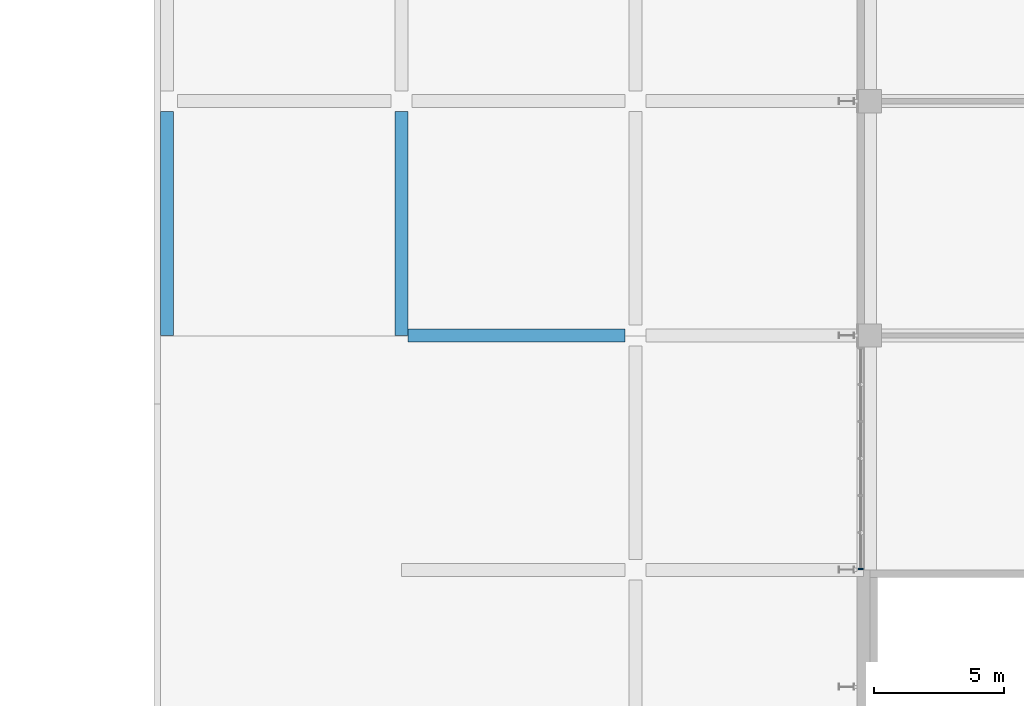
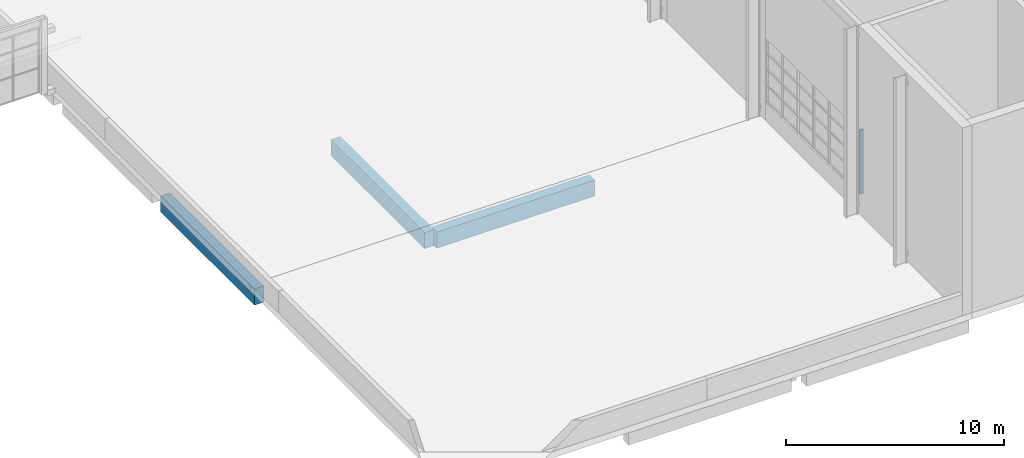
# One storey, part 13 of 182: 3 beams, 1 member, 1 element without a shape of its own.
"""IFC4 building model written with IfcOpenShell, lengths in metres."""

import ifcopenshell
import ifcopenshell.guid

model = None  # the IFC model being written
_history = None  # IfcOwnerHistory: only IFC2X3 demands one
_inside = {}  # id of a spatial element -> (the spatial element, [elements in it])
_under = {}  # id of a project, library or spatial element -> (it, [spatial elements below it])
_declared = {}  # id of a project -> (the project, [libraries it declares])
_typed = {}  # id of a type object -> (the type object, [elements of that type])
_made_of = {}  # id of a material, layer set ... -> (it, [elements and type objects made of it])


def new_model(schema):
    """Start an empty IFC model of exactly this schema.

    Asked for "IFC4X3", IfcOpenShell would pick the latest addendum, in which some entities
    have other attributes; the version numbers below select the first issue.
    IFC2X3 requires an IfcOwnerHistory on every rooted entity: one is made here for all.
    """
    global model, _history
    if schema == "IFC4X3":
        model = ifcopenshell.file(schema_version=(4, 3, 0, 0))
    else:
        model = ifcopenshell.file(schema=schema)
    _inside.clear()
    _under.clear()
    _declared.clear()
    _typed.clear()
    _made_of.clear()
    _history = None
    if model.schema == "IFC2X3":
        org = make("IfcOrganization", Name="unknown")
        user = make(
            "IfcPersonAndOrganization",
            ThePerson=make("IfcPerson", FamilyName="unknown"),
            TheOrganization=org,
        )
        app = make(
            "IfcApplication",
            ApplicationDeveloper=org,
            Version="unknown",
            ApplicationFullName="unknown",
            ApplicationIdentifier="unknown",
        )
        _history = make(
            "IfcOwnerHistory",
            OwningUser=user,
            OwningApplication=app,
            ChangeAction="ADDED",
            CreationDate=0,
        )
    return model


def make(cls, **values):
    """One entity of the class cls with the attributes given. An attribute that is None is left unset."""
    return model.create_entity(
        cls, **{name: value for name, value in values.items() if value is not None}
    )


def rooted(cls, **values):
    """An entity with a GlobalId (a new one), such as an element, a storey or a relation."""
    return make(cls, GlobalId=ifcopenshell.guid.new(), OwnerHistory=_history, **values)


def si_unit(unit_type, name, prefix=None):
    """IfcSIUnit, for example si_unit("LENGTHUNIT", "METRE", prefix="MILLI")."""
    return make("IfcSIUnit", UnitType=unit_type, Prefix=prefix, Name=name)


def assignment(units):
    """IfcUnitAssignment: the units of a project."""
    return None if units is None else make("IfcUnitAssignment", Units=units)


def point(xyz):
    """IfcCartesianPoint."""
    return None if xyz is None else make("IfcCartesianPoint", Coordinates=xyz)


def direction(xyz):
    """IfcDirection."""
    return None if xyz is None else make("IfcDirection", DirectionRatios=xyz)


def frame(location, z_axis=None, x_axis=None):
    """IfcAxis2Placement3D, a coordinate frame: its origin and axes. An axis left out is left unset."""
    return make(
        "IfcAxis2Placement3D",
        Location=point(location),
        Axis=direction(z_axis),
        RefDirection=direction(x_axis),
    )


def frame_2d(location, x_axis=None):
    """IfcAxis2Placement2D, a coordinate frame in the plane: its origin and x axis."""
    return make(
        "IfcAxis2Placement2D", Location=point(location), RefDirection=direction(x_axis)
    )


def origin():
    """The frame at (0, 0, 0) with its axes left unset."""
    return frame((0.0, 0.0, 0.0))


def origin_2d():
    """The frame at (0, 0) in the plane with its x axis left unset."""
    return frame_2d((0.0, 0.0))


def place(relative_to, where):
    """IfcLocalPlacement: puts the frame where relative to a parent placement (None: the world)."""
    return make(
        "IfcLocalPlacement", PlacementRelTo=relative_to, RelativePlacement=where
    )


def context(
    kind, dimensions, precision=None, world=None, true_north=None, identifier=None
):
    """IfcGeometricRepresentationContext, for example the 3D "Model" context."""
    return make(
        "IfcGeometricRepresentationContext",
        ContextIdentifier=identifier,
        ContextType=kind,
        CoordinateSpaceDimension=dimensions,
        Precision=precision,
        WorldCoordinateSystem=world,
        TrueNorth=true_north,
    )


def subcontext(parent, identifier, kind, view, scale=None):
    """IfcGeometricRepresentationSubContext, for example "Body" below "Model"."""
    return make(
        "IfcGeometricRepresentationSubContext",
        ContextIdentifier=identifier,
        ContextType=kind,
        ParentContext=parent,
        TargetScale=scale,
        TargetView=view,
    )


def project(units=None, contexts=None):
    """IfcProject with its units and contexts."""
    return rooted(
        "IfcProject",
        Name="project",
        RepresentationContexts=contexts,
        UnitsInContext=assignment(units),
    )


def spatial(cls, under=None, at=None, **own):
    """A site, building, storey or space (cls), placed at a placement, below another one or the project."""
    s = rooted(cls, ObjectPlacement=at, **own)
    if under is not None:
        _under.setdefault(under.id(), (under, []))[1].append(s)
    return s


def profile(cls, at=None, kind="AREA", **sizes):
    """A parametric profile (cls). Its sizes go by their IFC names, for example OverallWidth=200.0."""
    return make(cls, ProfileType=kind, Position=at, **sizes)


def rectangle(**sizes):
    """IfcRectangleProfileDef."""
    return profile("IfcRectangleProfileDef", **sizes)


def extrude(swept, where, along, depth):
    """IfcExtrudedAreaSolid: the profile swept, set in the frame where, extruded along a direction by depth."""
    return make(
        "IfcExtrudedAreaSolid",
        SweptArea=swept,
        Position=where,
        ExtrudedDirection=direction(along),
        Depth=depth,
    )


def shape(context_of_items, identifier, shape_type, items):
    """IfcShapeRepresentation: the items that make up one representation, for example the "Body"."""
    return make(
        "IfcShapeRepresentation",
        ContextOfItems=context_of_items,
        RepresentationIdentifier=identifier,
        RepresentationType=shape_type,
        Items=items,
    )


def material(Name=None, Category=None):
    """IfcMaterial."""
    return make("IfcMaterial", Name=Name, Category=Category)


def material_profile(
    of_material, cross_section, Name=None, Category=None, Priority=None
):
    """IfcMaterialProfile: a cross section and its material."""
    return make(
        "IfcMaterialProfile",
        Name=Name,
        Material=of_material,
        Profile=cross_section,
        Priority=Priority,
        Category=Category,
    )


def profile_set(profiles, Name=None, composite=None):
    """IfcMaterialProfileSet."""
    return make(
        "IfcMaterialProfileSet",
        Name=Name,
        MaterialProfiles=profiles,
        CompositeProfile=composite,
    )


def made_of(thing, what):
    """Note that an element or type object is made of a material, layer set ...; save() writes the relation."""
    if what is not None:
        _made_of.setdefault(what.id(), (what, []))[1].append(thing)
    return thing


def type_object(cls, material=None, **own):
    """A type object (cls), such as IfcWallType, which elements share."""
    return made_of(rooted(cls, **own), material)


def element(
    cls,
    number,
    at=None,
    inside=None,
    cuts=None,
    type_object=None,
    material=None,
    context=None,
    identifier="Body",
    shape_type=None,
    held_by="IfcProductDefinitionShape",
    body=None,
    shapes=None,
    **own,
):
    """One element of the class cls, such as IfcWall. Its Tag is "e" and its number.

    at: its placement. inside: the storey or other place that contains it. cuts: it is an
    opening in that element (IfcRelVoidsElement). A single representation is given by context,
    identifier, shape_type and body (its items); several are given by shapes. held_by: the class
    of the entity that holds the representations. save() writes the other relations.
    """
    e = rooted(cls, Tag="e%d" % number, ObjectPlacement=at, **own)
    if body is not None:
        shapes = [shape(context, identifier, shape_type, body)]
    if shapes is not None:
        e.Representation = make(held_by, Representations=shapes)
    if inside is not None:
        _inside.setdefault(inside.id(), (inside, []))[1].append(e)
    if cuts is not None:
        rooted(
            "IfcRelVoidsElement", RelatingBuildingElement=cuts, RelatedOpeningElement=e
        )
    if type_object is not None:
        _typed.setdefault(type_object.id(), (type_object, []))[1].append(e)
    return made_of(e, material)


def aggregate(whole, parts):
    """IfcRelAggregates: a whole, such as a stair, and the parts it consists of."""
    return rooted("IfcRelAggregates", RelatingObject=whole, RelatedObjects=parts)


def save(model, path):
    """Write the relations noted so far, then the file.

    IfcRelAggregates (storeys below a building ...), IfcRelContainedInSpatialStructure (elements
    in a storey), IfcRelDefinesByType, IfcRelAssociatesMaterial and IfcRelDeclares: one each for
    every whole, place, type object, material and project.
    """
    for whole, parts in _under.values():
        aggregate(whole, parts)
    for where, things in _inside.values():
        rooted(
            "IfcRelContainedInSpatialStructure",
            RelatedElements=things,
            RelatingStructure=where,
        )
    for kind, things in _typed.values():
        rooted("IfcRelDefinesByType", RelatedObjects=things, RelatingType=kind)
    for what, things in _made_of.values():
        rooted("IfcRelAssociatesMaterial", RelatedObjects=things, RelatingMaterial=what)
    for by, libraries in _declared.values():
        rooted("IfcRelDeclares", RelatingContext=by, RelatedDefinitions=libraries)
    model.write(path)


model = new_model("IFC4")

# Units and contexts
model_context = context("Model", 3, precision=1e-05, world=origin(), true_north=direction((0.0, 1.0)))
body_context = subcontext(model_context, "Body", "Model", "MODEL_VIEW")
ifc_project = project(units=[si_unit("LENGTHUNIT", "METRE"), si_unit("AREAUNIT", "SQUARE_METRE"), si_unit("VOLUMEUNIT", "CUBIC_METRE"), si_unit("PLANEANGLEUNIT", "RADIAN"), si_unit("MASSUNIT", "GRAM", prefix="KILO")], contexts=[model_context])

# Site, building, storey
site_placement = place(None, origin())
site = spatial("IfcSite", under=ifc_project, at=site_placement, CompositionType="ELEMENT")
building_placement = place(site_placement, origin())
building = spatial("IfcBuilding", under=site, at=building_placement, Name="Silverbay Arena", CompositionType="ELEMENT")
storey_placement = place(building_placement, frame((0.0, 0.0, 11.5)))
storey = spatial("IfcBuildingStorey", under=building, at=storey_placement, Name="L02", CompositionType="ELEMENT", Elevation=11.5)

# Curtain wall, member
ifc_material_1 = material(Name="Aluminium framed curtain wall", Category="aluminium")
curtain_wall_type = type_object("IfcCurtainWallType", Name="Curtain wall 8550 x 3600", PredefinedType="NOTDEFINED", material=ifc_material_1)
curtain_wall_placement = place(storey_placement, origin())
curtain_wall = element("IfcCurtainWall", 1, at=curtain_wall_placement, inside=storey, type_object=curtain_wall_type, Name="West curtain wall L02 bay 2", PredefinedType="NOTDEFINED")
ifc_material_2 = material(Name="Aluminium", Category="aluminium")
ifc_material_profile_1 = material_profile(ifc_material_2, rectangle(XDim=0.199951171875, YDim=0.06005859375, at=origin_2d()), Name="Mullion 60 x 200")
ifc_profile_set_1 = profile_set([ifc_material_profile_1], Name="Aluminium")
member_type = type_object("IfcMemberType", Name="Mullion 60 x 200", PredefinedType="MULLION", material=ifc_profile_set_1)
member_placement = place(storey_placement, frame((53.64990234375, 27.030029296875, 1.0), z_axis=(0.0, 0.0, 1.0), x_axis=(1.0, 0.0, 0.0)))
member = element("IfcMember", 2, at=member_placement, type_object=member_type, Name="CW10 mullion 7", PredefinedType="MULLION", context=body_context, shape_type="SweptSolid", body=[
    extrude(rectangle(XDim=0.199951171875, YDim=0.06005859375, at=origin_2d()), origin(), (0.0, 0.0, 1.0), 3.60009765625),
])
aggregate(curtain_wall, [member])

# Beams
ifc_material_3 = material(Name="Concrete Grade C45", Category="concrete")
ifc_material_profile_2 = material_profile(ifc_material_3, rectangle(XDim=0.5, YDim=0.89990234375, at=origin_2d()), Name="RC 500x900")
ifc_profile_set_2 = profile_set([ifc_material_profile_2], Name="Concrete Grade C45")
beam_type = type_object("IfcBeamType", Name="RC beam 500x900", PredefinedType="BEAM", material=ifc_profile_set_2)
beam_placement = place(storey_placement, frame((36.25, 36.0, -0.800048828125), z_axis=(1.0, 0.0, 0.0), x_axis=(0.0, 1.0, 0.0)))
element("IfcBeam", 3, at=beam_placement, inside=storey, type_object=beam_type, Name="Floor beam L02 019", PredefinedType="BEAM", context=body_context, shape_type="SweptSolid", body=[
    extrude(rectangle(XDim=0.5, YDim=0.89990234375, at=origin_2d()), origin(), (0.0, 0.0, 1.0), 8.35009765625),
])
for number, where, z_axis, x_axis, name in (
    (4, (27.0, 36.0, -0.800048828125), (0.0, 1.0, 0.0), (-1.0, 0.0, 0.0), "Floor beam L02 181"),
    (5, (36.0, 36.0, -0.800048828125), (0.0, 1.0, 0.0), (-1.0, 0.0, 0.0), "Floor beam L02 191"),
):
    element("IfcBeam", number, at=place(storey_placement, frame(where, z_axis=z_axis, x_axis=x_axis)), inside=storey, type_object=beam_type, Name=name, PredefinedType="BEAM", context=body_context, shape_type="SweptSolid", body=[
        extrude(rectangle(XDim=0.5, YDim=0.89990234375, at=origin_2d()), origin(), (0.0, 0.0, 1.0), 8.60009765625),
    ])

save(model, "model.ifc")
